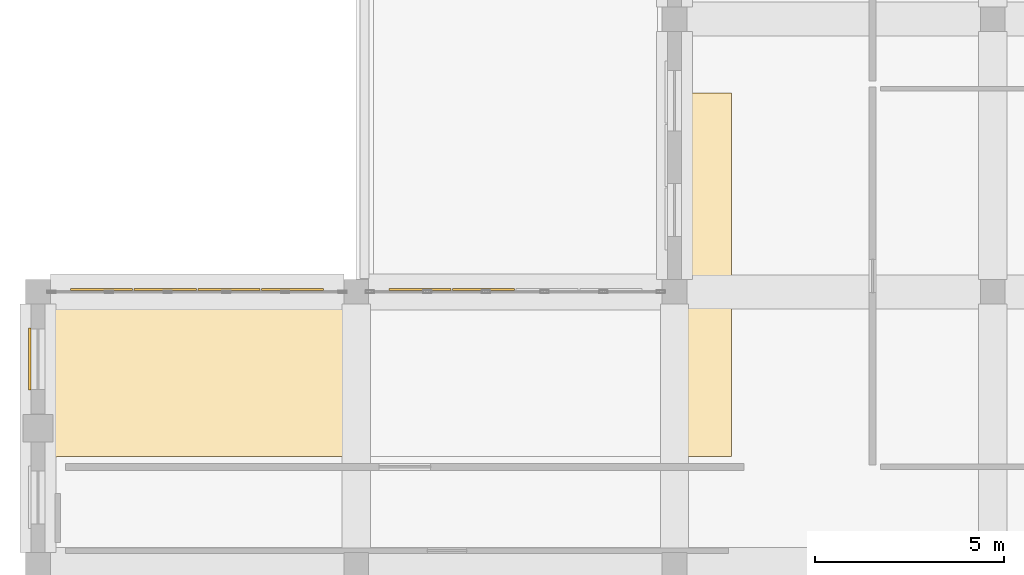
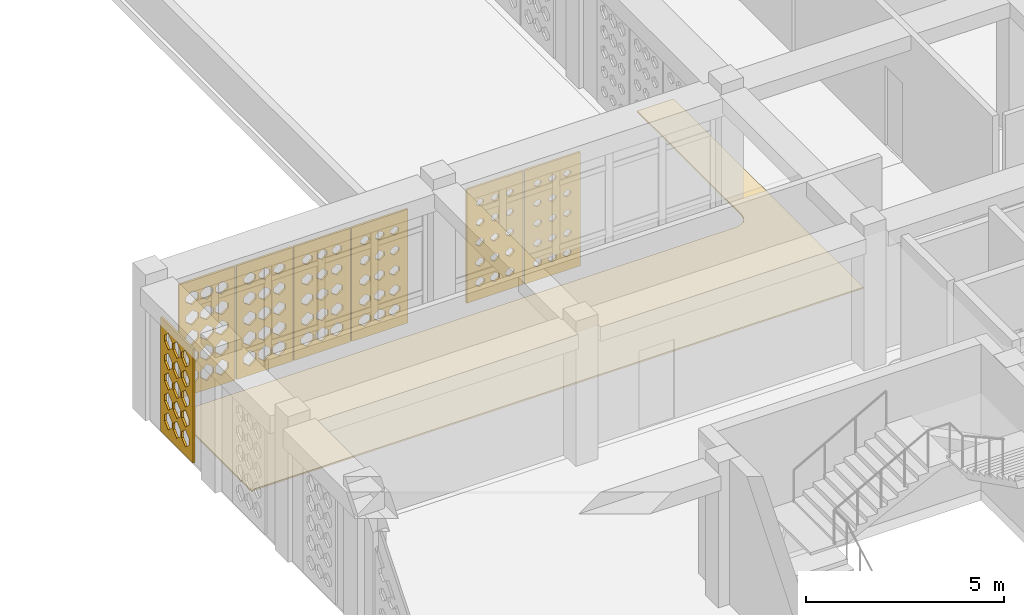
# One storey, part 60 of 79: 8 coverings.
"""IFC4 building model written with IfcOpenShell, lengths in metres."""

import ifcopenshell
import ifcopenshell.guid

model = None  # the IFC model being written
_history = None  # IfcOwnerHistory: only IFC2X3 demands one
_inside = {}  # id of a spatial element -> (the spatial element, [elements in it])
_under = {}  # id of a project, library or spatial element -> (it, [spatial elements below it])
_declared = {}  # id of a project -> (the project, [libraries it declares])
_typed = {}  # id of a type object -> (the type object, [elements of that type])
_made_of = {}  # id of a material, layer set ... -> (it, [elements and type objects made of it])


def new_model(schema):
    """Start an empty IFC model of exactly this schema.

    Asked for "IFC4X3", IfcOpenShell would pick the latest addendum, in which some entities
    have other attributes; the version numbers below select the first issue.
    IFC2X3 requires an IfcOwnerHistory on every rooted entity: one is made here for all.
    """
    global model, _history
    if schema == "IFC4X3":
        model = ifcopenshell.file(schema_version=(4, 3, 0, 0))
    else:
        model = ifcopenshell.file(schema=schema)
    _inside.clear()
    _under.clear()
    _declared.clear()
    _typed.clear()
    _made_of.clear()
    _history = None
    if model.schema == "IFC2X3":
        org = make("IfcOrganization", Name="unknown")
        user = make(
            "IfcPersonAndOrganization",
            ThePerson=make("IfcPerson", FamilyName="unknown"),
            TheOrganization=org,
        )
        app = make(
            "IfcApplication",
            ApplicationDeveloper=org,
            Version="unknown",
            ApplicationFullName="unknown",
            ApplicationIdentifier="unknown",
        )
        _history = make(
            "IfcOwnerHistory",
            OwningUser=user,
            OwningApplication=app,
            ChangeAction="ADDED",
            CreationDate=0,
        )
    return model


def make(cls, **values):
    """One entity of the class cls with the attributes given. An attribute that is None is left unset."""
    return model.create_entity(
        cls, **{name: value for name, value in values.items() if value is not None}
    )


def rooted(cls, **values):
    """An entity with a GlobalId (a new one), such as an element, a storey or a relation."""
    return make(cls, GlobalId=ifcopenshell.guid.new(), OwnerHistory=_history, **values)


def si_unit(unit_type, name, prefix=None):
    """IfcSIUnit, for example si_unit("LENGTHUNIT", "METRE", prefix="MILLI")."""
    return make("IfcSIUnit", UnitType=unit_type, Prefix=prefix, Name=name)


def derived_unit(unit_type, elements):
    """IfcDerivedUnit: a product of units, each with its exponent."""
    return make(
        "IfcDerivedUnit",
        Elements=[
            make("IfcDerivedUnitElement", Unit=unit, Exponent=power)
            for unit, power in elements
        ],
        UnitType=unit_type,
    )


def assignment(units):
    """IfcUnitAssignment: the units of a project."""
    return None if units is None else make("IfcUnitAssignment", Units=units)


def point(xyz):
    """IfcCartesianPoint."""
    return None if xyz is None else make("IfcCartesianPoint", Coordinates=xyz)


def direction(xyz):
    """IfcDirection."""
    return None if xyz is None else make("IfcDirection", DirectionRatios=xyz)


def frame(location, z_axis=None, x_axis=None):
    """IfcAxis2Placement3D, a coordinate frame: its origin and axes. An axis left out is left unset."""
    return make(
        "IfcAxis2Placement3D",
        Location=point(location),
        Axis=direction(z_axis),
        RefDirection=direction(x_axis),
    )


def origin():
    """The frame at (0, 0, 0) with its axes left unset."""
    return frame((0.0, 0.0, 0.0))


def place(relative_to, where):
    """IfcLocalPlacement: puts the frame where relative to a parent placement (None: the world)."""
    return make(
        "IfcLocalPlacement", PlacementRelTo=relative_to, RelativePlacement=where
    )


def context(
    kind, dimensions, precision=None, world=None, true_north=None, identifier=None
):
    """IfcGeometricRepresentationContext, for example the 3D "Model" context."""
    return make(
        "IfcGeometricRepresentationContext",
        ContextIdentifier=identifier,
        ContextType=kind,
        CoordinateSpaceDimension=dimensions,
        Precision=precision,
        WorldCoordinateSystem=world,
        TrueNorth=true_north,
    )


def subcontext(parent, identifier, kind, view, scale=None):
    """IfcGeometricRepresentationSubContext, for example "Body" below "Model"."""
    return make(
        "IfcGeometricRepresentationSubContext",
        ContextIdentifier=identifier,
        ContextType=kind,
        ParentContext=parent,
        TargetScale=scale,
        TargetView=view,
    )


def project(units=None, contexts=None):
    """IfcProject with its units and contexts."""
    return rooted(
        "IfcProject",
        Name="project",
        RepresentationContexts=contexts,
        UnitsInContext=assignment(units),
    )


def spatial(cls, under=None, at=None, **own):
    """A site, building, storey or space (cls), placed at a placement, below another one or the project."""
    s = rooted(cls, ObjectPlacement=at, **own)
    if under is not None:
        _under.setdefault(under.id(), (under, []))[1].append(s)
    return s


def polyline(points):
    """IfcPolyline through the points."""
    return make("IfcPolyline", Points=[point(p) for p in points])


def outline(outer, holes=None, kind="AREA"):
    """IfcArbitraryClosedProfileDef: a profile drawn as a closed curve; with holes, ...WithVoids."""
    if holes is None:
        return make("IfcArbitraryClosedProfileDef", ProfileType=kind, OuterCurve=outer)
    return make(
        "IfcArbitraryProfileDefWithVoids",
        ProfileType=kind,
        OuterCurve=outer,
        InnerCurves=holes,
    )


def extrude(swept, where, along, depth):
    """IfcExtrudedAreaSolid: the profile swept, set in the frame where, extruded along a direction by depth."""
    return make(
        "IfcExtrudedAreaSolid",
        SweptArea=swept,
        Position=where,
        ExtrudedDirection=direction(along),
        Depth=depth,
    )


def shape(context_of_items, identifier, shape_type, items):
    """IfcShapeRepresentation: the items that make up one representation, for example the "Body"."""
    return make(
        "IfcShapeRepresentation",
        ContextOfItems=context_of_items,
        RepresentationIdentifier=identifier,
        RepresentationType=shape_type,
        Items=items,
    )


def material(Name=None, Category=None):
    """IfcMaterial."""
    return make("IfcMaterial", Name=Name, Category=Category)


def layer(
    of_material, thickness, ventilated=None, Name=None, Category=None, Priority=None
):
    """IfcMaterialLayer: one layer of a wall or slab, of a material (None: an air gap)."""
    return make(
        "IfcMaterialLayer",
        Material=of_material,
        LayerThickness=thickness,
        IsVentilated=ventilated,
        Name=Name,
        Category=Category,
        Priority=Priority,
    )


def layer_set(layers, Name=None):
    """IfcMaterialLayerSet."""
    return make("IfcMaterialLayerSet", MaterialLayers=layers, LayerSetName=Name)


def made_of(thing, what):
    """Note that an element or type object is made of a material, layer set ...; save() writes the relation."""
    if what is not None:
        _made_of.setdefault(what.id(), (what, []))[1].append(thing)
    return thing


def type_object(cls, material=None, **own):
    """A type object (cls), such as IfcWallType, which elements share."""
    return made_of(rooted(cls, **own), material)


def element(
    cls,
    number,
    at=None,
    inside=None,
    cuts=None,
    type_object=None,
    material=None,
    context=None,
    identifier="Body",
    shape_type=None,
    held_by="IfcProductDefinitionShape",
    body=None,
    shapes=None,
    **own,
):
    """One element of the class cls, such as IfcWall. Its Tag is "e" and its number.

    at: its placement. inside: the storey or other place that contains it. cuts: it is an
    opening in that element (IfcRelVoidsElement). A single representation is given by context,
    identifier, shape_type and body (its items); several are given by shapes. held_by: the class
    of the entity that holds the representations. save() writes the other relations.
    """
    e = rooted(cls, Tag="e%d" % number, ObjectPlacement=at, **own)
    if body is not None:
        shapes = [shape(context, identifier, shape_type, body)]
    if shapes is not None:
        e.Representation = make(held_by, Representations=shapes)
    if inside is not None:
        _inside.setdefault(inside.id(), (inside, []))[1].append(e)
    if cuts is not None:
        rooted(
            "IfcRelVoidsElement", RelatingBuildingElement=cuts, RelatedOpeningElement=e
        )
    if type_object is not None:
        _typed.setdefault(type_object.id(), (type_object, []))[1].append(e)
    return made_of(e, material)


def aggregate(whole, parts):
    """IfcRelAggregates: a whole, such as a stair, and the parts it consists of."""
    return rooted("IfcRelAggregates", RelatingObject=whole, RelatedObjects=parts)


def save(model, path):
    """Write the relations noted so far, then the file.

    IfcRelAggregates (storeys below a building ...), IfcRelContainedInSpatialStructure (elements
    in a storey), IfcRelDefinesByType, IfcRelAssociatesMaterial and IfcRelDeclares: one each for
    every whole, place, type object, material and project.
    """
    for whole, parts in _under.values():
        aggregate(whole, parts)
    for where, things in _inside.values():
        rooted(
            "IfcRelContainedInSpatialStructure",
            RelatedElements=things,
            RelatingStructure=where,
        )
    for kind, things in _typed.values():
        rooted("IfcRelDefinesByType", RelatedObjects=things, RelatingType=kind)
    for what, things in _made_of.values():
        rooted("IfcRelAssociatesMaterial", RelatedObjects=things, RelatingMaterial=what)
    for by, libraries in _declared.values():
        rooted("IfcRelDeclares", RelatingContext=by, RelatedDefinitions=libraries)
    model.write(path)


model = new_model("IFC4")

# Units and contexts
model_context = context("Model", 3, precision=1e-05, world=origin(), true_north=direction((0.0, 1.0)))
body_context = subcontext(model_context, "Body", "Model", "MODEL_VIEW")
ifc_project = project(units=[si_unit("LENGTHUNIT", "METRE"), si_unit("AREAUNIT", "SQUARE_METRE"), si_unit("VOLUMEUNIT", "CUBIC_METRE"), si_unit("PLANEANGLEUNIT", "RADIAN"), si_unit("MASSUNIT", "GRAM", prefix="KILO"), derived_unit("THERMALTRANSMITTANCEUNIT", [(si_unit("POWERUNIT", "WATT"), 1), (si_unit("LENGTHUNIT", "METRE"), -2), (si_unit("THERMODYNAMICTEMPERATUREUNIT", "KELVIN"), -1)])], contexts=[model_context])

# Site, building, storey
site_placement = place(None, origin())
site = spatial("IfcSite", under=ifc_project, at=site_placement, CompositionType="ELEMENT")
building_placement = place(site_placement, origin())
building = spatial("IfcBuilding", under=site, at=building_placement, Name="Veybourne Emporium", CompositionType="ELEMENT")
storey_placement = place(building_placement, frame((0.0, 0.0, 18.89990234375)))
storey = spatial("IfcBuildingStorey", under=building, at=storey_placement, Name="L04", CompositionType="ELEMENT", Elevation=18.89990234375)

# Coverings
ifc_material_1 = material(Name="Venetian Terrazzo Flooring", Category="masonry")
ifc_layer_1 = layer(ifc_material_1, 0.044921875)
ifc_layer_set_1 = layer_set([ifc_layer_1], Name="Venetian Terrazzo Flooring")
covering_type_1 = type_object("IfcCoveringType", Name="Flooring_FLR-01", PredefinedType="FLOORING", material=ifc_layer_set_1)
covering_1_placement = place(storey_placement, origin())
element("IfcCovering", 1, at=covering_1_placement, inside=storey, type_object=covering_type_1, Name="L04 floor finish 05", PredefinedType="FLOORING", context=body_context, shape_type="SweptSolid", body=[
    extrude(outline(polyline([(0.43994140625, 49.9599609375), (16.800048828125, 49.9599609375), (16.809814453125, 49.960205078125), (16.833251953125, 49.96142578125), (16.852783203125, 49.96337890625), (16.876220703125, 49.966796875), (16.8955078125, 49.970703125), (16.918212890625, 49.976318359375), (16.93701171875, 49.98193359375), (16.959228515625, 49.989990234375), (16.977294921875, 49.99755859375), (16.99853515625, 50.007568359375), (17.015869140625, 50.016845703125), (17.0361328125, 50.02880859375), (17.052490234375, 50.039794921875), (17.071533203125, 50.053955078125), (17.08642578125, 50.066162109375), (17.090576171875, 50.070068359375), (17.1298828125, 50.070068359375), (17.1298828125, 50.109375), (17.1337890625, 50.113525390625), (17.146240234375, 50.128662109375), (17.16015625, 50.1474609375), (17.171142578125, 50.163818359375), (17.18310546875, 50.18408203125), (17.1923828125, 50.201416015625), (17.20263671875, 50.22265625), (17.2099609375, 50.24072265625), (17.218017578125, 50.262939453125), (17.2236328125, 50.28173828125), (17.2294921875, 50.3046875), (17.233154296875, 50.323974609375), (17.236572265625, 50.34716796875), (17.238525390625, 50.36669921875), (17.23974609375, 50.39013671875), (17.239990234375, 50.39990234375), (17.239990234375, 55.64990234375), (18.303955078125, 55.64990234375), (18.303955078125, 46.06005859375), (0.60009765625, 46.06005859375), (0.590087890625, 46.059814453125), (0.574462890625, 46.05908203125), (0.554931640625, 46.05712890625), (0.53955078125, 46.0546875), (0.520263671875, 46.051025390625), (0.5048828125, 46.047119140625), (0.486083984375, 46.04150390625), (0.471435546875, 46.0361328125), (0.453369140625, 46.028564453125), (0.43994140625, 46.0224609375), (0.43994140625, 49.9599609375)])), origin(), (0.0, 0.0, 1.0), 0.045166015625),
])
ifc_material_2 = material(Name="Warm-White Perforated Aluminium Screen Alloy", Category="aluminium")
ifc_layer_2 = layer(ifc_material_2, 0.06005859375)
ifc_layer_set_2 = layer_set([ifc_layer_2], Name="Warm-White Perforated Aluminium Screen Alloy")
covering_type_2 = type_object("IfcCoveringType", Name="WaveScreen_SCR-01", PredefinedType="CLADDING", material=ifc_layer_set_2)
covering_2_placement = place(storey_placement, frame((3.360107421875, 50.492919921875, 1.815185546875), z_axis=(0.0, -1.0, 0.0), x_axis=(1.0, 0.0, 0.0)))
element("IfcCovering", 2, at=covering_2_placement, inside=storey, type_object=covering_type_2, Name="L04 wave-perforated aluminium screen SCR-01 (6C.2)", PredefinedType="CLADDING", context=body_context, shape_type="SweptSolid", body=[
    extrude(outline(polyline([(-0.81982421875, -1.7548828125), (0.81982421875, -1.7548828125), (0.81982421875, 1.7548828125), (-0.81982421875, 1.7548828125), (-0.81982421875, -1.7548828125)]), holes=[polyline([(-0.433349609375, -0.986083984375), (-0.2470703125, -1.140869140625), (-0.2470703125, -1.315185546875), (-0.433349609375, -1.469970703125), (-0.61962890625, -1.315185546875), (-0.61962890625, -1.140869140625), (-0.433349609375, -0.986083984375)]), polyline([(-0.433349609375, -0.38427734375), (-0.2470703125, -0.53125), (-0.2470703125, -0.69677734375), (-0.433349609375, -0.84375), (-0.61962890625, -0.69677734375), (-0.61962890625, -0.53125), (-0.433349609375, -0.38427734375)]), polyline([(-0.433349609375, 0.216796875), (-0.2470703125, 0.077880859375), (-0.2470703125, -0.077880859375), (-0.433349609375, -0.216796875), (-0.61962890625, -0.077880859375), (-0.61962890625, 0.077880859375), (-0.433349609375, 0.216796875)]), polyline([(-0.433349609375, 0.81689453125), (-0.25732421875, 0.68701171875), (-0.25732421875, 0.541015625), (-0.433349609375, 0.4111328125), (-0.609375, 0.541015625), (-0.609375, 0.68701171875), (-0.433349609375, 0.81689453125)]), polyline([(-0.433349609375, 1.416748046875), (-0.26904296875, 1.2958984375), (-0.26904296875, 1.16015625), (-0.433349609375, 1.039306640625), (-0.59765625, 1.16015625), (-0.59765625, 1.2958984375), (-0.433349609375, 1.416748046875)]), polyline([(0.0, -0.991455078125), (0.186279296875, -1.142822265625), (0.186279296875, -1.313232421875), (0.0, -1.464599609375), (-0.186279296875, -1.313232421875), (-0.186279296875, -1.142822265625), (0.0, -0.991455078125)]), polyline([(0.0, -0.389892578125), (0.186279296875, -0.533447265625), (0.186279296875, -0.694580078125), (0.0, -0.837890625), (-0.186279296875, -0.694580078125), (-0.186279296875, -0.533447265625), (0.0, -0.389892578125)]), polyline([(0.0, 0.21044921875), (0.18212890625, 0.07568359375), (0.18212890625, -0.07568359375), (0.0, -0.21044921875), (-0.18212890625, -0.07568359375), (-0.18212890625, 0.07568359375), (0.0, 0.21044921875)]), polyline([(0.0, 0.810302734375), (0.170654296875, 0.684814453125), (0.170654296875, 0.543212890625), (0.0, 0.41748046875), (-0.170654296875, 0.543212890625), (-0.170654296875, 0.684814453125), (0.0, 0.810302734375)]), polyline([(0.0, 1.410400390625), (0.1591796875, 1.293701171875), (0.1591796875, 1.162353515625), (0.0, 1.045654296875), (-0.1591796875, 1.162353515625), (-0.1591796875, 1.293701171875), (0.0, 1.410400390625)]), polyline([(0.433349609375, -0.9970703125), (0.61962890625, -1.144775390625), (0.61962890625, -1.311279296875), (0.433349609375, -1.458984375), (0.2470703125, -1.311279296875), (0.2470703125, -1.144775390625), (0.433349609375, -0.9970703125)]), polyline([(0.433349609375, -0.39599609375), (0.61962890625, -0.535400390625), (0.61962890625, -0.6923828125), (0.433349609375, -0.831787109375), (0.2470703125, -0.6923828125), (0.2470703125, -0.535400390625), (0.433349609375, -0.39599609375)]), polyline([(0.433349609375, 0.2041015625), (0.6103515625, 0.073486328125), (0.6103515625, -0.073486328125), (0.433349609375, -0.2041015625), (0.25634765625, -0.073486328125), (0.25634765625, 0.073486328125), (0.433349609375, 0.2041015625)]), polyline([(0.433349609375, 0.803955078125), (0.598876953125, 0.682373046875), (0.598876953125, 0.545654296875), (0.433349609375, 0.424072265625), (0.267822265625, 0.545654296875), (0.267822265625, 0.682373046875), (0.433349609375, 0.803955078125)]), polyline([(0.433349609375, 1.40380859375), (0.58740234375, 1.291259765625), (0.58740234375, 1.164794921875), (0.433349609375, 1.052001953125), (0.279296875, 1.164794921875), (0.279296875, 1.291259765625), (0.433349609375, 1.40380859375)])]), origin(), (0.0, 0.0, 1.0), 0.06005859375),
])
covering_3_placement = place(storey_placement, frame((-0.248046875, 48.62255859375, 1.815185546875), z_axis=(1.0, 0.0, 0.0), x_axis=(0.0, 1.0, 0.0)))
element("IfcCovering", 3, at=covering_3_placement, inside=storey, type_object=covering_type_2, Name="L04 wave-perforated aluminium screen SCR-01 (7B.1)", PredefinedType="CLADDING", context=body_context, shape_type="SweptSolid", body=[
    extrude(outline(polyline([(-0.81982421875, -1.7548828125), (0.81982421875, -1.7548828125), (0.81982421875, 1.7548828125), (-0.81982421875, 1.7548828125), (-0.81982421875, -1.7548828125)]), holes=[polyline([(-0.433349609375, -0.964111328125), (-0.2470703125, -1.133056640625), (-0.2470703125, -1.322998046875), (-0.433349609375, -1.491943359375), (-0.61962890625, -1.322998046875), (-0.61962890625, -1.133056640625), (-0.433349609375, -0.964111328125)]), polyline([(-0.433349609375, -0.35009765625), (-0.2470703125, -0.51904296875), (-0.2470703125, -0.708984375), (-0.433349609375, -0.8779296875), (-0.61962890625, -0.708984375), (-0.61962890625, -0.51904296875), (-0.433349609375, -0.35009765625)]), polyline([(-0.433349609375, 0.263916015625), (-0.2470703125, 0.094970703125), (-0.2470703125, -0.094970703125), (-0.433349609375, -0.263916015625), (-0.61962890625, -0.094970703125), (-0.61962890625, 0.094970703125), (-0.433349609375, 0.263916015625)]), polyline([(-0.433349609375, 0.8779296875), (-0.2470703125, 0.708984375), (-0.2470703125, 0.51904296875), (-0.433349609375, 0.35009765625), (-0.61962890625, 0.51904296875), (-0.61962890625, 0.708984375), (-0.433349609375, 0.8779296875)]), polyline([(-0.433349609375, 1.486572265625), (-0.2470703125, 1.321044921875), (-0.2470703125, 1.135009765625), (-0.433349609375, 0.969482421875), (-0.61962890625, 1.135009765625), (-0.61962890625, 1.321044921875), (-0.433349609375, 1.486572265625)]), polyline([(0.0, -0.964111328125), (0.186279296875, -1.133056640625), (0.186279296875, -1.322998046875), (0.0, -1.491943359375), (-0.186279296875, -1.322998046875), (-0.186279296875, -1.133056640625), (0.0, -0.964111328125)]), polyline([(0.0, -0.35009765625), (0.186279296875, -0.51904296875), (0.186279296875, -0.708984375), (0.0, -0.8779296875), (-0.186279296875, -0.708984375), (-0.186279296875, -0.51904296875), (0.0, -0.35009765625)]), polyline([(0.0, 0.263916015625), (0.186279296875, 0.094970703125), (0.186279296875, -0.094970703125), (0.0, -0.263916015625), (-0.186279296875, -0.094970703125), (-0.186279296875, 0.094970703125), (0.0, 0.263916015625)]), polyline([(0.0, 0.876953125), (0.186279296875, 0.708740234375), (0.186279296875, 0.519287109375), (0.0, 0.35107421875), (-0.186279296875, 0.519287109375), (-0.186279296875, 0.708740234375), (0.0, 0.876953125)]), polyline([(0.0, 1.482421875), (0.186279296875, 1.319580078125), (0.186279296875, 1.136474609375), (0.0, 0.973388671875), (-0.186279296875, 1.136474609375), (-0.186279296875, 1.319580078125), (0.0, 1.482421875)]), polyline([(0.433349609375, -0.964111328125), (0.61962890625, -1.133056640625), (0.61962890625, -1.322998046875), (0.433349609375, -1.491943359375), (0.2470703125, -1.322998046875), (0.2470703125, -1.133056640625), (0.433349609375, -0.964111328125)]), polyline([(0.433349609375, -0.35009765625), (0.61962890625, -0.51904296875), (0.61962890625, -0.708984375), (0.433349609375, -0.8779296875), (0.2470703125, -0.708984375), (0.2470703125, -0.51904296875), (0.433349609375, -0.35009765625)]), polyline([(0.433349609375, 0.263916015625), (0.61962890625, 0.094970703125), (0.61962890625, -0.094970703125), (0.433349609375, -0.263916015625), (0.2470703125, -0.094970703125), (0.2470703125, 0.094970703125), (0.433349609375, 0.263916015625)]), polyline([(0.433349609375, 0.873291015625), (0.61962890625, 0.70751953125), (0.61962890625, 0.5205078125), (0.433349609375, 0.3544921875), (0.2470703125, 0.5205078125), (0.2470703125, 0.70751953125), (0.433349609375, 0.873291015625)]), polyline([(0.433349609375, 1.47802734375), (0.61962890625, 1.318115234375), (0.61962890625, 1.137939453125), (0.433349609375, 0.977783203125), (0.2470703125, 1.137939453125), (0.2470703125, 1.318115234375), (0.433349609375, 1.47802734375)])]), origin(), (0.0, 0.0, 1.0), 0.06005859375),
])
ifc_layer_3 = layer(ifc_material_2, 0.06005859375)
ifc_layer_set_3 = layer_set([ifc_layer_3], Name="Warm-White Perforated Aluminium Screen Alloy")
covering_type_3 = type_object("IfcCoveringType", Name="WaveScreen_SCR-02", PredefinedType="CLADDING", material=ifc_layer_set_3)
covering_4_placement = place(storey_placement, frame((5.0400390625, 50.492919921875, 1.815185546875), z_axis=(0.0, -1.0, 0.0), x_axis=(1.0, 0.0, 0.0)))
element("IfcCovering", 4, at=covering_4_placement, inside=storey, type_object=covering_type_3, Name="L04 wave-perforated aluminium screen SCR-02 (6C.3)", PredefinedType="CLADDING", context=body_context, shape_type="SweptSolid", body=[
    extrude(outline(polyline([(-0.81982421875, -1.7548828125), (0.81982421875, -1.7548828125), (0.81982421875, 1.7548828125), (-0.81982421875, 1.7548828125), (-0.81982421875, -1.7548828125)]), holes=[polyline([(-0.433349609375, -1.008056640625), (-0.2470703125, -1.148681640625), (-0.2470703125, -1.30712890625), (-0.433349609375, -1.447998046875), (-0.61962890625, -1.30712890625), (-0.61962890625, -1.148681640625), (-0.433349609375, -1.008056640625)]), polyline([(-0.433349609375, -0.40771484375), (-0.254638671875, -0.539794921875), (-0.254638671875, -0.688232421875), (-0.433349609375, -0.8203125), (-0.612060546875, -0.688232421875), (-0.612060546875, -0.539794921875), (-0.433349609375, -0.40771484375)]), polyline([(-0.433349609375, 0.192138671875), (-0.26611328125, 0.069091796875), (-0.26611328125, -0.069091796875), (-0.433349609375, -0.192138671875), (-0.6005859375, -0.069091796875), (-0.6005859375, 0.069091796875), (-0.433349609375, 0.192138671875)]), polyline([(-0.433349609375, 0.7919921875), (-0.277587890625, 0.677978515625), (-0.277587890625, 0.5498046875), (-0.433349609375, 0.43603515625), (-0.589111328125, 0.5498046875), (-0.589111328125, 0.677978515625), (-0.433349609375, 0.7919921875)]), polyline([(-0.433349609375, 1.392333984375), (-0.288818359375, 1.287109375), (-0.288818359375, 1.168701171875), (-0.433349609375, 1.063720703125), (-0.577880859375, 1.168701171875), (-0.577880859375, 1.287109375), (-0.433349609375, 1.392333984375)]), polyline([(0.0, -1.01416015625), (0.184814453125, -1.15087890625), (0.184814453125, -1.304931640625), (0.0, -1.44189453125), (-0.184814453125, -1.304931640625), (-0.184814453125, -1.15087890625), (0.0, -1.01416015625)]), polyline([(0.0, -0.414306640625), (0.173583984375, -0.5419921875), (0.173583984375, -0.685791015625), (0.0, -0.813720703125), (-0.173583984375, -0.685791015625), (-0.173583984375, -0.5419921875), (0.0, -0.414306640625)]), polyline([(0.0, 0.185791015625), (0.161865234375, 0.06689453125), (0.161865234375, -0.06689453125), (0.0, -0.185791015625), (-0.161865234375, -0.06689453125), (-0.161865234375, 0.06689453125), (0.0, 0.185791015625)]), polyline([(0.0, 0.78564453125), (0.150390625, 0.67578125), (0.150390625, 0.55224609375), (0.0, 0.4423828125), (-0.150390625, 0.55224609375), (-0.150390625, 0.67578125), (0.0, 0.78564453125)]), polyline([(0.0, 1.386474609375), (0.1396484375, 1.284912109375), (0.1396484375, 1.1708984375), (0.0, 1.069580078125), (-0.1396484375, 1.1708984375), (-0.1396484375, 1.284912109375), (0.0, 1.386474609375)]), polyline([(0.433349609375, -1.0205078125), (0.613037109375, -1.1533203125), (0.613037109375, -1.302734375), (0.433349609375, -1.435546875), (0.25341796875, -1.302734375), (0.25341796875, -1.1533203125), (0.433349609375, -1.0205078125)]), polyline([(0.433349609375, -0.420654296875), (0.6015625, -0.54443359375), (0.6015625, -0.68359375), (0.433349609375, -0.807373046875), (0.26513671875, -0.68359375), (0.26513671875, -0.54443359375), (0.433349609375, -0.420654296875)]), polyline([(0.433349609375, 0.17919921875), (0.590087890625, 0.064453125), (0.590087890625, -0.064453125), (0.433349609375, -0.17919921875), (0.276611328125, -0.064453125), (0.276611328125, 0.064453125), (0.433349609375, 0.17919921875)]), polyline([(0.433349609375, 0.779541015625), (0.578857421875, 0.673583984375), (0.578857421875, 0.554443359375), (0.433349609375, 0.448486328125), (0.287841796875, 0.554443359375), (0.287841796875, 0.673583984375), (0.433349609375, 0.779541015625)]), polyline([(0.433349609375, 1.380615234375), (0.568115234375, 1.282958984375), (0.568115234375, 1.173095703125), (0.433349609375, 1.075439453125), (0.298583984375, 1.173095703125), (0.298583984375, 1.282958984375), (0.433349609375, 1.380615234375)])]), origin(), (0.0, 0.0, 1.0), 0.06005859375),
])
ifc_layer_4 = layer(ifc_material_2, 0.06005859375)
ifc_layer_set_4 = layer_set([ifc_layer_4], Name="Warm-White Perforated Aluminium Screen Alloy")
covering_type_4 = type_object("IfcCoveringType", Name="WaveScreen_SCR-03", PredefinedType="CLADDING", material=ifc_layer_set_4)
covering_5_placement = place(storey_placement, frame((6.719970703125, 50.492919921875, 1.815185546875), z_axis=(0.0, -1.0, 0.0), x_axis=(1.0, 0.0, 0.0)))
element("IfcCovering", 5, at=covering_5_placement, inside=storey, type_object=covering_type_4, Name="L04 wave-perforated aluminium screen SCR-03 (6C.4)", PredefinedType="CLADDING", context=body_context, shape_type="SweptSolid", body=[
    extrude(outline(polyline([(-0.81982421875, -1.7548828125), (0.81982421875, -1.7548828125), (0.81982421875, 1.7548828125), (-0.81982421875, 1.7548828125), (-0.81982421875, -1.7548828125)]), holes=[polyline([(-0.433349609375, -1.032470703125), (-0.263427734375, -1.15771484375), (-0.263427734375, -1.29833984375), (-0.433349609375, -1.423583984375), (-0.603271484375, -1.29833984375), (-0.603271484375, -1.15771484375), (-0.433349609375, -1.032470703125)]), polyline([(-0.433349609375, -0.4326171875), (-0.27490234375, -0.548583984375), (-0.27490234375, -0.67919921875), (-0.433349609375, -0.79541015625), (-0.591796875, -0.67919921875), (-0.591796875, -0.548583984375), (-0.433349609375, -0.4326171875)]), polyline([(-0.433349609375, 0.16748046875), (-0.2861328125, 0.060302734375), (-0.2861328125, -0.060302734375), (-0.433349609375, -0.16748046875), (-0.580322265625, -0.060302734375), (-0.580322265625, 0.060302734375), (-0.433349609375, 0.16748046875)]), polyline([(-0.433349609375, 0.7685546875), (-0.296875, 0.669677734375), (-0.296875, 0.558349609375), (-0.433349609375, 0.45947265625), (-0.569580078125, 0.558349609375), (-0.569580078125, 0.669677734375), (-0.433349609375, 0.7685546875)]), polyline([(-0.433349609375, 1.37060546875), (-0.306640625, 1.279296875), (-0.306640625, 1.1767578125), (-0.433349609375, 1.08544921875), (-0.559814453125, 1.1767578125), (-0.559814453125, 1.279296875), (-0.433349609375, 1.37060546875)]), polyline([(0.0, -1.038818359375), (0.164794921875, -1.159912109375), (0.164794921875, -1.296142578125), (0.0, -1.4169921875), (-0.164794921875, -1.296142578125), (-0.164794921875, -1.159912109375), (0.0, -1.038818359375)]), polyline([(0.0, -0.43896484375), (0.1533203125, -0.551025390625), (0.1533203125, -0.677001953125), (0.0, -0.7890625), (-0.1533203125, -0.677001953125), (-0.1533203125, -0.551025390625), (0.0, -0.43896484375)]), polyline([(0.0, 0.16162109375), (0.14208984375, 0.05810546875), (0.14208984375, -0.05810546875), (0.0, -0.16162109375), (-0.14208984375, -0.05810546875), (-0.14208984375, 0.05810546875), (0.0, 0.16162109375)]), polyline([(0.0, 0.762939453125), (0.1318359375, 0.66748046875), (0.1318359375, 0.560302734375), (0.0, 0.465087890625), (-0.1318359375, 0.560302734375), (-0.1318359375, 0.66748046875), (0.0, 0.762939453125)]), polyline([(0.0, 1.365478515625), (0.12255859375, 1.277587890625), (0.12255859375, 1.178466796875), (0.0, 1.090576171875), (-0.12255859375, 1.178466796875), (-0.12255859375, 1.277587890625), (0.0, 1.365478515625)]), polyline([(0.433349609375, -1.04541015625), (0.5927734375, -1.162109375), (0.5927734375, -1.293701171875), (0.433349609375, -1.41064453125), (0.27392578125, -1.293701171875), (0.27392578125, -1.162109375), (0.433349609375, -1.04541015625)]), polyline([(0.433349609375, -0.4453125), (0.58154296875, -0.55322265625), (0.58154296875, -0.6748046875), (0.433349609375, -0.78271484375), (0.28515625, -0.6748046875), (0.28515625, -0.55322265625), (0.433349609375, -0.4453125)]), polyline([(0.433349609375, 0.155517578125), (0.57080078125, 0.055908203125), (0.57080078125, -0.055908203125), (0.433349609375, -0.155517578125), (0.2958984375, -0.055908203125), (0.2958984375, 0.055908203125), (0.433349609375, 0.155517578125)]), polyline([(0.433349609375, 0.757568359375), (0.560791015625, 0.665771484375), (0.560791015625, 0.562255859375), (0.433349609375, 0.470458984375), (0.305908203125, 0.562255859375), (0.305908203125, 0.665771484375), (0.433349609375, 0.757568359375)]), polyline([(0.433349609375, 1.36083984375), (0.552001953125, 1.27587890625), (0.552001953125, 1.18017578125), (0.433349609375, 1.09521484375), (0.314697265625, 1.18017578125), (0.314697265625, 1.27587890625), (0.433349609375, 1.36083984375)])]), origin(), (0.0, 0.0, 1.0), 0.06005859375),
])
covering_6_placement = place(storey_placement, frame((10.080078125, 50.494140625, 1.815185546875), z_axis=(0.0, -1.0, 0.0), x_axis=(1.0, 0.0, 0.0)))
element("IfcCovering", 6, at=covering_6_placement, inside=storey, type_object=covering_type_4, Name="L04 wave-perforated aluminium screen SCR-03 (9C.1)", PredefinedType="CLADDING", context=body_context, shape_type="SweptSolid", body=[
    extrude(outline(polyline([(-0.81982421875, -1.7548828125), (0.81982421875, -1.7548828125), (0.81982421875, 1.7548828125), (-0.81982421875, 1.7548828125), (-0.81982421875, -1.7548828125)]), holes=[polyline([(-0.433349609375, -1.079833984375), (-0.30224609375, -1.1748046875), (-0.30224609375, -1.28125), (-0.433349609375, -1.376220703125), (-0.564453125, -1.28125), (-0.564453125, -1.1748046875), (-0.433349609375, -1.079833984375)]), polyline([(-0.433349609375, -0.47705078125), (-0.311279296875, -0.564697265625), (-0.311279296875, -0.663330078125), (-0.433349609375, -0.7509765625), (-0.555419921875, -0.663330078125), (-0.555419921875, -0.564697265625), (-0.433349609375, -0.47705078125)]), polyline([(-0.433349609375, 0.127197265625), (-0.319091796875, 0.0458984375), (-0.319091796875, -0.0458984375), (-0.433349609375, -0.127197265625), (-0.547607421875, -0.0458984375), (-0.547607421875, 0.0458984375), (-0.433349609375, 0.127197265625)]), polyline([(-0.433349609375, 0.733642578125), (-0.325439453125, 0.656982421875), (-0.325439453125, 0.571044921875), (-0.433349609375, 0.494384765625), (-0.541259765625, 0.571044921875), (-0.541259765625, 0.656982421875), (-0.433349609375, 0.733642578125)]), polyline([(-0.433349609375, 1.342041015625), (-0.330078125, 1.26904296875), (-0.330078125, 1.18701171875), (-0.433349609375, 1.114013671875), (-0.53662109375, 1.18701171875), (-0.53662109375, 1.26904296875), (-0.433349609375, 1.342041015625)]), polyline([(0.0, -1.085205078125), (0.126708984375, -1.176513671875), (0.126708984375, -1.279296875), (0.0, -1.370849609375), (-0.126708984375, -1.279296875), (-0.126708984375, -1.176513671875), (0.0, -1.085205078125)]), polyline([(0.0, -0.481689453125), (0.1181640625, -0.56640625), (0.1181640625, -0.66162109375), (0.0, -0.746337890625), (-0.1181640625, -0.66162109375), (-0.1181640625, -0.56640625), (0.0, -0.481689453125)]), polyline([(0.0, 0.12353515625), (0.111083984375, 0.04443359375), (0.111083984375, -0.04443359375), (0.0, -0.12353515625), (-0.111083984375, -0.04443359375), (-0.111083984375, 0.04443359375), (0.0, 0.12353515625)]), polyline([(0.0, 0.730712890625), (0.105712890625, 0.656005859375), (0.105712890625, 0.572021484375), (0.0, 0.497314453125), (-0.105712890625, 0.572021484375), (-0.105712890625, 0.656005859375), (0.0, 0.730712890625)]), polyline([(0.0, 1.34033203125), (0.101806640625, 1.268310546875), (0.101806640625, 1.1875), (0.0, 1.11572265625), (-0.101806640625, 1.1875), (-0.101806640625, 1.268310546875), (0.0, 1.34033203125)]), polyline([(0.433349609375, -1.090087890625), (0.55615234375, -1.178466796875), (0.55615234375, -1.277587890625), (0.433349609375, -1.36572265625), (0.310546875, -1.277587890625), (0.310546875, -1.178466796875), (0.433349609375, -1.090087890625)]), polyline([(0.433349609375, -0.48583984375), (0.548095703125, -0.56787109375), (0.548095703125, -0.66015625), (0.433349609375, -0.7421875), (0.318603515625, -0.66015625), (0.318603515625, -0.56787109375), (0.433349609375, -0.48583984375)]), polyline([(0.433349609375, 0.1201171875), (0.541748046875, 0.043212890625), (0.541748046875, -0.043212890625), (0.433349609375, -0.1201171875), (0.324951171875, -0.043212890625), (0.324951171875, 0.043212890625), (0.433349609375, 0.1201171875)]), polyline([(0.433349609375, 0.728515625), (0.537109375, 0.6552734375), (0.537109375, 0.57275390625), (0.433349609375, 0.49951171875), (0.32958984375, 0.57275390625), (0.32958984375, 0.6552734375), (0.433349609375, 0.728515625)]), polyline([(0.433349609375, 1.339111328125), (0.5341796875, 1.26806640625), (0.5341796875, 1.18798828125), (0.433349609375, 1.116943359375), (0.33251953125, 1.18798828125), (0.33251953125, 1.26806640625), (0.433349609375, 1.339111328125)])]), origin(), (0.0, 0.0, 1.0), 0.06005859375),
])
ifc_layer_5 = layer(ifc_material_2, 0.06005859375)
ifc_layer_set_5 = layer_set([ifc_layer_5], Name="Warm-White Perforated Aluminium Screen Alloy")
covering_type_5 = type_object("IfcCoveringType", Name="WaveScreen_SCR-04", PredefinedType="CLADDING", material=ifc_layer_set_5)
covering_7_placement = place(storey_placement, frame((1.679931640625, 50.492919921875, 1.815185546875), z_axis=(0.0, -1.0, 0.0), x_axis=(1.0, 0.0, 0.0)))
element("IfcCovering", 7, at=covering_7_placement, inside=storey, type_object=covering_type_5, Name="L04 wave-perforated aluminium screen SCR-04 (6C.1)", PredefinedType="CLADDING", context=body_context, shape_type="SweptSolid", body=[
    extrude(outline(polyline([(-0.81982421875, -1.7548828125), (0.81982421875, -1.7548828125), (0.81982421875, 1.7548828125), (-0.81982421875, 1.7548828125), (-0.81982421875, -1.7548828125)]), holes=[polyline([(-0.433349609375, -0.96875), (-0.2470703125, -1.134521484375), (-0.2470703125, -1.3212890625), (-0.433349609375, -1.4873046875), (-0.61962890625, -1.3212890625), (-0.61962890625, -1.134521484375), (-0.433349609375, -0.96875)]), polyline([(-0.433349609375, -0.364013671875), (-0.2470703125, -0.52392578125), (-0.2470703125, -0.7041015625), (-0.433349609375, -0.864013671875), (-0.61962890625, -0.7041015625), (-0.61962890625, -0.52392578125), (-0.433349609375, -0.364013671875)]), polyline([(-0.433349609375, 0.239013671875), (-0.2470703125, 0.086181640625), (-0.2470703125, -0.086181640625), (-0.433349609375, -0.239013671875), (-0.61962890625, -0.086181640625), (-0.61962890625, 0.086181640625), (-0.433349609375, 0.239013671875)]), polyline([(-0.433349609375, 0.8408203125), (-0.2470703125, 0.695556640625), (-0.2470703125, 0.532470703125), (-0.433349609375, 0.38720703125), (-0.61962890625, 0.532470703125), (-0.61962890625, 0.695556640625), (-0.433349609375, 0.8408203125)]), polyline([(-0.433349609375, 1.44140625), (-0.248779296875, 1.3046875), (-0.248779296875, 1.151123046875), (-0.433349609375, 1.0146484375), (-0.617919921875, 1.151123046875), (-0.617919921875, 1.3046875), (-0.433349609375, 1.44140625)]), polyline([(0.0, -0.97265625), (0.186279296875, -1.135986328125), (0.186279296875, -1.31982421875), (0.0, -1.4833984375), (-0.186279296875, -1.31982421875), (-0.186279296875, -1.135986328125), (0.0, -0.97265625)]), polyline([(0.0, -0.36865234375), (0.186279296875, -0.525634765625), (0.186279296875, -0.702392578125), (0.0, -0.859375), (-0.186279296875, -0.702392578125), (-0.186279296875, -0.525634765625), (0.0, -0.36865234375)]), polyline([(0.0, 0.233642578125), (0.186279296875, 0.083984375), (0.186279296875, -0.083984375), (0.0, -0.233642578125), (-0.186279296875, -0.083984375), (-0.186279296875, 0.083984375), (0.0, 0.233642578125)]), polyline([(0.0, 0.834716796875), (0.186279296875, 0.693603515625), (0.186279296875, 0.534423828125), (0.0, 0.393310546875), (-0.186279296875, 0.534423828125), (-0.186279296875, 0.693603515625), (0.0, 0.834716796875)]), polyline([(0.0, 1.43505859375), (0.179443359375, 1.302490234375), (0.179443359375, 1.1533203125), (0.0, 1.02099609375), (-0.179443359375, 1.1533203125), (-0.179443359375, 1.302490234375), (0.0, 1.43505859375)]), polyline([(0.433349609375, -0.97705078125), (0.61962890625, -1.1376953125), (0.61962890625, -1.318359375), (0.433349609375, -1.47900390625), (0.2470703125, -1.318359375), (0.2470703125, -1.1376953125), (0.433349609375, -0.97705078125)]), polyline([(0.433349609375, -0.373779296875), (0.61962890625, -0.527587890625), (0.61962890625, -0.700439453125), (0.433349609375, -0.854248046875), (0.2470703125, -0.700439453125), (0.2470703125, -0.527587890625), (0.433349609375, -0.373779296875)]), polyline([(0.433349609375, 0.227783203125), (0.61962890625, 0.08203125), (0.61962890625, -0.08203125), (0.433349609375, -0.227783203125), (0.2470703125, -0.08203125), (0.2470703125, 0.08203125), (0.433349609375, 0.227783203125)]), polyline([(0.433349609375, 0.82861328125), (0.618896484375, 0.69140625), (0.618896484375, 0.53662109375), (0.433349609375, 0.3994140625), (0.247802734375, 0.53662109375), (0.247802734375, 0.69140625), (0.433349609375, 0.82861328125)]), polyline([(0.433349609375, 1.4287109375), (0.607666015625, 1.30029296875), (0.607666015625, 1.15576171875), (0.433349609375, 1.027099609375), (0.259033203125, 1.15576171875), (0.259033203125, 1.30029296875), (0.433349609375, 1.4287109375)])]), origin(), (0.0, 0.0, 1.0), 0.06005859375),
])
covering_8_placement = place(storey_placement, frame((11.760009765625, 50.494140625, 1.815185546875), z_axis=(0.0, -1.0, 0.0), x_axis=(1.0, 0.0, 0.0)))
element("IfcCovering", 8, at=covering_8_placement, inside=storey, type_object=covering_type_5, Name="L04 wave-perforated aluminium screen SCR-04 (9C.2)", PredefinedType="CLADDING", context=body_context, shape_type="SweptSolid", body=[
    extrude(outline(polyline([(-0.81982421875, -1.7548828125), (0.81982421875, -1.7548828125), (0.81982421875, 1.7548828125), (-0.81982421875, 1.7548828125), (-0.81982421875, -1.7548828125)]), holes=[polyline([(-0.433349609375, -1.0986328125), (-0.3173828125, -1.181396484375), (-0.3173828125, -1.274658203125), (-0.433349609375, -1.357421875), (-0.54931640625, -1.274658203125), (-0.54931640625, -1.181396484375), (-0.433349609375, -1.0986328125)]), polyline([(-0.433349609375, -0.492919921875), (-0.32421875, -0.5703125), (-0.32421875, -0.65771484375), (-0.433349609375, -0.735107421875), (-0.54248046875, -0.65771484375), (-0.54248046875, -0.5703125), (-0.433349609375, -0.492919921875)]), polyline([(-0.433349609375, 0.115234375), (-0.3291015625, 0.04150390625), (-0.3291015625, -0.04150390625), (-0.433349609375, -0.115234375), (-0.53759765625, -0.04150390625), (-0.53759765625, 0.04150390625), (-0.433349609375, 0.115234375)]), polyline([(-0.433349609375, 0.725341796875), (-0.332275390625, 0.654052734375), (-0.332275390625, 0.573974609375), (-0.433349609375, 0.502685546875), (-0.534423828125, 0.573974609375), (-0.534423828125, 0.654052734375), (-0.433349609375, 0.725341796875)]), polyline([(-0.433349609375, 1.337890625), (-0.333251953125, 1.267578125), (-0.333251953125, 1.1884765625), (-0.433349609375, 1.117919921875), (-0.533203125, 1.1884765625), (-0.533203125, 1.267578125), (-0.433349609375, 1.337890625)]), polyline([(0.0, -1.1025390625), (0.112548828125, -1.182861328125), (0.112548828125, -1.273193359375), (0.0, -1.353515625), (-0.112548828125, -1.273193359375), (-0.112548828125, -1.182861328125), (0.0, -1.1025390625)]), polyline([(0.0, -0.495849609375), (0.106689453125, -0.5712890625), (0.106689453125, -0.656494140625), (0.0, -0.732177734375), (-0.106689453125, -0.656494140625), (-0.106689453125, -0.5712890625), (0.0, -0.495849609375)]), polyline([(0.0, 0.11328125), (0.1025390625, 0.040771484375), (0.1025390625, -0.040771484375), (0.0, -0.11328125), (-0.1025390625, -0.040771484375), (-0.1025390625, 0.040771484375), (0.0, 0.11328125)]), polyline([(0.0, 0.724609375), (0.100341796875, 0.65380859375), (0.100341796875, 0.57421875), (0.0, 0.50341796875), (-0.100341796875, 0.57421875), (-0.100341796875, 0.65380859375), (0.0, 0.724609375)]), polyline([(0.0, 1.338134765625), (0.10009765625, 1.267578125), (0.10009765625, 1.188232421875), (0.0, 1.117919921875), (-0.10009765625, 1.188232421875), (-0.10009765625, 1.267578125), (0.0, 1.338134765625)]), polyline([(0.433349609375, -1.106201171875), (0.543212890625, -1.18408203125), (0.543212890625, -1.27197265625), (0.433349609375, -1.349853515625), (0.323486328125, -1.27197265625), (0.323486328125, -1.18408203125), (0.433349609375, -1.106201171875)]), polyline([(0.433349609375, -0.498291015625), (0.5380859375, -0.572509765625), (0.5380859375, -0.655517578125), (0.433349609375, -0.7294921875), (0.32861328125, -0.655517578125), (0.32861328125, -0.572509765625), (0.433349609375, -0.498291015625)]), polyline([(0.433349609375, 0.111572265625), (0.53466796875, 0.040283203125), (0.53466796875, -0.040283203125), (0.433349609375, -0.111572265625), (0.33203125, -0.040283203125), (0.33203125, 0.040283203125), (0.433349609375, 0.111572265625)]), polyline([(0.433349609375, 0.72412109375), (0.533447265625, 0.653564453125), (0.533447265625, 0.574462890625), (0.433349609375, 0.50390625), (0.333251953125, 0.574462890625), (0.333251953125, 0.653564453125), (0.433349609375, 0.72412109375)]), polyline([(0.433349609375, 1.3388671875), (0.533935546875, 1.267822265625), (0.533935546875, 1.18798828125), (0.433349609375, 1.1171875), (0.33251953125, 1.18798828125), (0.33251953125, 1.267822265625), (0.433349609375, 1.3388671875)])]), origin(), (0.0, 0.0, 1.0), 0.06005859375),
])

save(model, "model.ifc")
